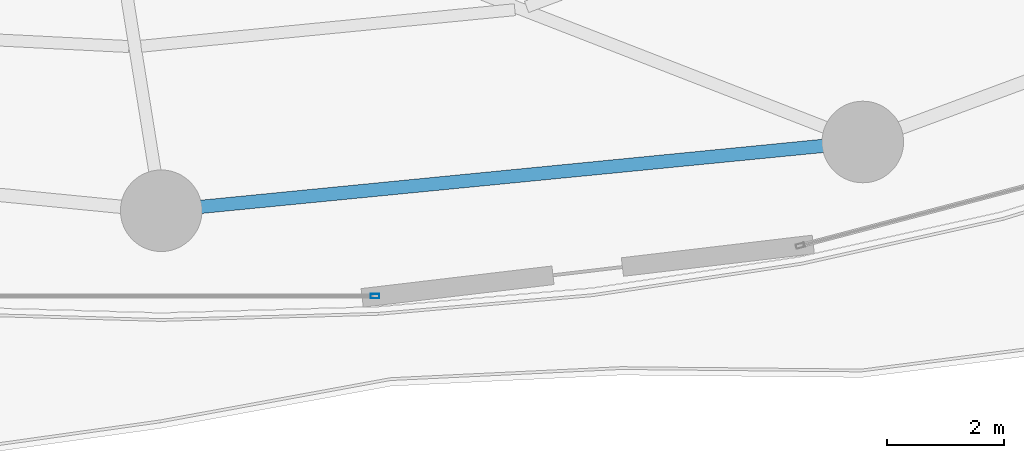
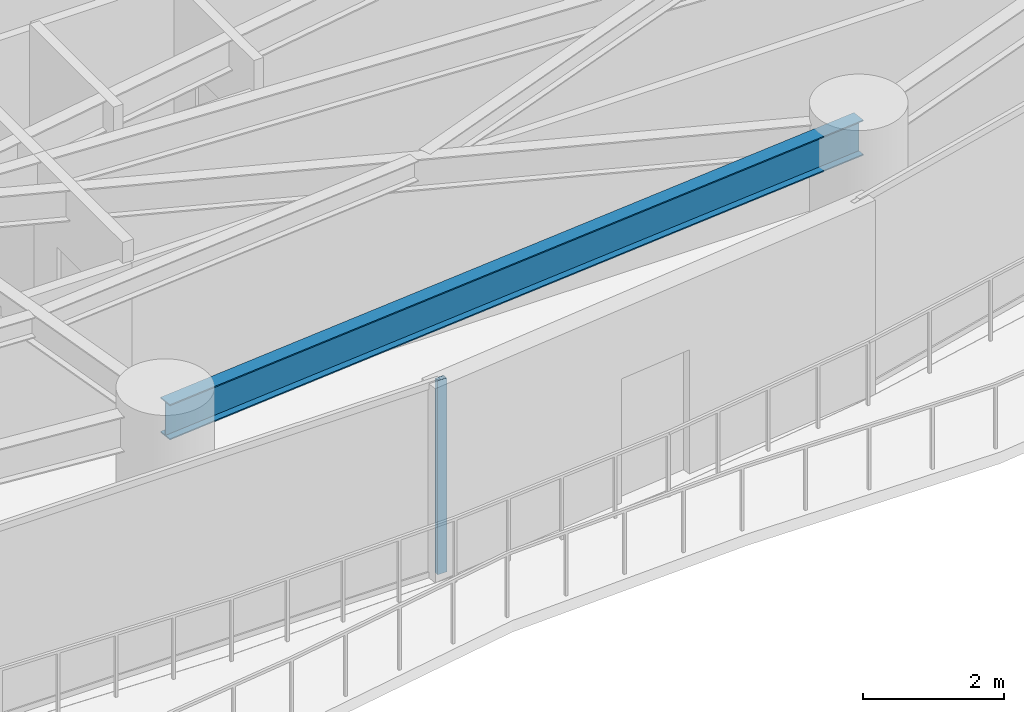
# One storey, part 10 of 31: 1 beam, 1 member, 1 element without a shape of its own.
"""IFC4 building model written with IfcOpenShell, lengths in metres."""

from ifc_helpers import new_model, si_unit, direction, frame, origin, origin_2d, place, context, subcontext, project, spatial, hollow_rectangle, i_section, extrude, material, layer, layer_set, material_profile, profile_set, type_object, element, aggregate, save


model = new_model("IFC4")

# Units and contexts
model_context = context("Model", 3, precision=1e-05, world=origin(), true_north=direction((0.0, 1.0)))
body_context = subcontext(model_context, "Body", "Model", "MODEL_VIEW")
ifc_project = project(units=[si_unit("LENGTHUNIT", "METRE"), si_unit("AREAUNIT", "SQUARE_METRE"), si_unit("VOLUMEUNIT", "CUBIC_METRE"), si_unit("PLANEANGLEUNIT", "RADIAN"), si_unit("MASSUNIT", "GRAM", prefix="KILO")], contexts=[model_context])

# Site, building, storey
site_placement = place(None, origin())
site = spatial("IfcSite", under=ifc_project, at=site_placement, CompositionType="ELEMENT")
building_placement = place(site_placement, origin())
building = spatial("IfcBuilding", under=site, at=building_placement, Name="Kazevale Care Tower and Concert Hall", CompositionType="ELEMENT")
storey_placement = place(building_placement, frame((0.0, 0.0, 78.0)))
storey = spatial("IfcBuildingStorey", under=building, at=storey_placement, Name="L20", CompositionType="ELEMENT", Elevation=78.0)

# Curtain wall, member
ifc_material_1 = material(Name="Aluminium 6063-T6 and Low-E Glass", Category="aluminium")
ifc_layer = layer(ifc_material_1, 0.179931640625)
ifc_layer_set = layer_set([ifc_layer], Name="Aluminium 6063-T6 and Low-E Glass")
curtain_wall_type = type_object("IfcCurtainWallType", Name="Sheltered Concave Balcony Curtain Wall CW-5", PredefinedType="NOTDEFINED", material=ifc_layer_set)
curtain_wall_placement = place(storey_placement, origin())
curtain_wall = element("IfcCurtainWall", 1, at=curtain_wall_placement, inside=storey, type_object=curtain_wall_type, Name="cw:L20:f06", PredefinedType="NOTDEFINED")
ifc_material_2 = material(Name="Aluminium 6063-T6", Category="aluminium")
ifc_material_profile_1 = material_profile(ifc_material_2, hollow_rectangle(XDim=0.074951171875, YDim=0.14990234375, WallThickness=0.00390625, at=origin_2d()), Name="ALU75x150x4")
ifc_profile_set_1 = profile_set([ifc_material_profile_1], Name="Aluminium 6063-T6")
member_type = type_object("IfcMemberType", Name="CW-5 Mullion ALU75x150x4", PredefinedType="MULLION", material=ifc_profile_set_1)
member_placement = place(storey_placement, frame((48.66943359375, 15.885986328125, 0.0), z_axis=(0.0, 0.0, 1.0), x_axis=(0.0, -1.0, 0.0)))
member = element("IfcMember", 2, at=member_placement, type_object=member_type, Name="CW-5 mullion 1", PredefinedType="MULLION", context=body_context, shape_type="SweptSolid", body=[
    extrude(hollow_rectangle(XDim=0.074951171875, YDim=0.14990234375, WallThickness=0.00390625, at=origin_2d()), origin(), (0.0, 0.0, 1.0), 3.360107421875),
])
aggregate(curtain_wall, [member])

# Beam
ifc_material_3 = material(Name="Steel ASTM A572 Gr 50", Category="steel")
ifc_material_profile_2 = material_profile(ifc_material_3, i_section(OverallWidth=0.22900390625, OverallDepth=0.612060546875, WebThickness=0.011962890625, FlangeThickness=0.01953125, at=origin_2d()), Name="W610x125")
ifc_profile_set_2 = profile_set([ifc_material_profile_2], Name="Steel ASTM A572 Gr 50")
beam_type = type_object("IfcBeamType", Name="Ring Spandrel Beam W610x125", PredefinedType="SPANDREL", material=ifc_profile_set_2)
beam_placement = place(storey_placement, frame((45.0, 17.35009765625, 3.053955078125), z_axis=(0.995232251602, 0.09753340644, 0.0), x_axis=(-0.09753340644, 0.995232251602, 0.0)))
element("IfcBeam", 3, at=beam_placement, inside=storey, type_object=beam_type, Name="beam:L20:ring:13", PredefinedType="SPANDREL", context=body_context, shape_type="SweptSolid", body=[
    extrude(i_section(OverallWidth=0.22900390625, OverallDepth=0.612060546875, WebThickness=0.011962890625, FlangeThickness=0.01953125, at=origin_2d()), origin(), (0.0, 0.0, 1.0), 12.09765625),
])

save(model, "model.ifc")
